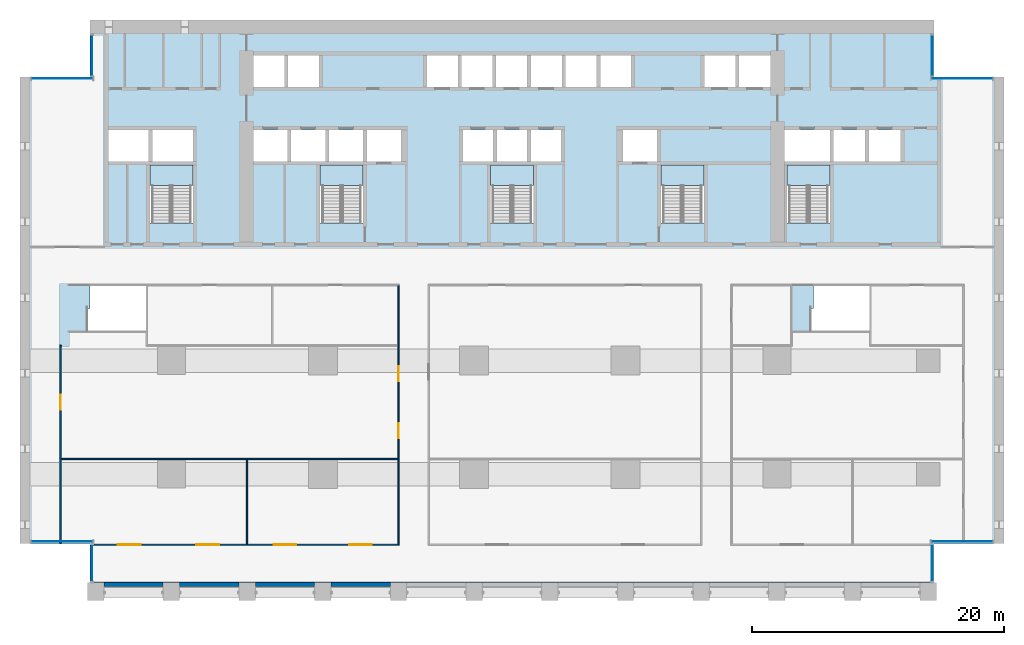
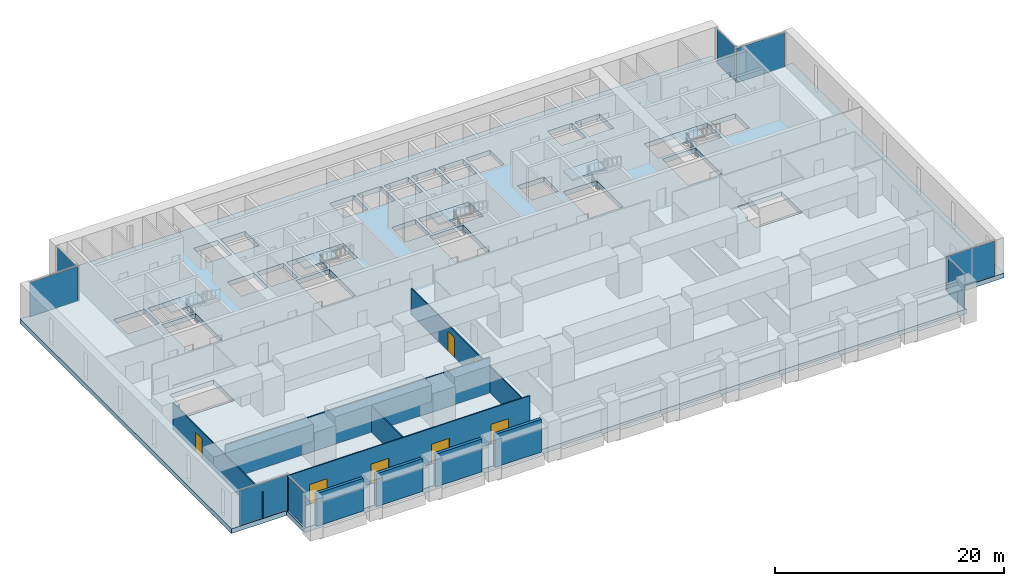
# One storey, part 6 of 17: 9 walls, 8 plates, 7 doors, 6 slabs, 7 openings, 13 elements without a shape of their own.
"""IFC4 building model written with IfcOpenShell, lengths in metres."""

from ifc_helpers import new_model, si_unit, direction, frame, frame_2d, origin, origin_2d, place, context, subcontext, project, spatial, polyline, rectangle, outline, extrude, material, layer, layer_set, type_object, element, fill, aggregate, save


model = new_model("IFC4")

# Units and contexts
model_context = context("Model", 3, precision=1e-05, world=origin(), true_north=direction((0.0, 1.0)))
body_context = subcontext(model_context, "Body", "Model", "MODEL_VIEW")
ifc_project = project(units=[si_unit("LENGTHUNIT", "METRE"), si_unit("AREAUNIT", "SQUARE_METRE"), si_unit("VOLUMEUNIT", "CUBIC_METRE"), si_unit("PLANEANGLEUNIT", "RADIAN"), si_unit("MASSUNIT", "GRAM", prefix="KILO")], contexts=[model_context])

# Site, building, storey
site_placement = place(None, origin())
site = spatial("IfcSite", under=ifc_project, at=site_placement, CompositionType="ELEMENT")
building_placement = place(site_placement, origin())
building = spatial("IfcBuilding", under=site, at=building_placement, Name="Calvaro Tower", CompositionType="ELEMENT")
storey_placement = place(building_placement, frame((0.0, 0.0, 17.89990234375)))
storey = spatial("IfcBuildingStorey", under=building, at=storey_placement, Name="L03", CompositionType="ELEMENT", Elevation=17.89990234375)

# Slab
ifc_material_1 = material(Name="Concrete C40/50", Category="concrete")
ifc_layer_1 = layer(ifc_material_1, 0.5)
ifc_layer_set_1 = layer_set([ifc_layer_1], Name="Concrete C40/50")
slab_type_1 = type_object("IfcSlabType", Name="Floor slab 500 C40/50", PredefinedType="FLOOR", material=ifc_layer_set_1)
slab_1_placement = place(storey_placement, frame((0.0, 0.0, -0.5)))
element("IfcSlab", 1, at=slab_1_placement, inside=storey, type_object=slab_type_1, Name="Floor slab", PredefinedType="FLOOR", context=body_context, shape_type="SweptSolid", body=[
    extrude(outline(polyline([(72.449951171875, 4.5), (72.449951171875, 1.39990234375), (5.550048828125, 1.39990234375), (5.550048828125, 4.5), (0.0, 4.5), (0.0, 41.5), (5.550048828125, 41.5), (5.550048828125, 46.0), (72.449951171875, 46.0), (72.449951171875, 41.5), (78.0, 41.5), (78.0, 4.5), (72.449951171875, 4.5)]), holes=[polyline([(10.300048828125, 29.909912109375), (10.300048828125, 34.5), (12.0, 34.5), (13.699951171875, 34.5), (13.699951171875, 29.909912109375), (12.0, 29.909912109375), (10.300048828125, 29.909912109375)]), polyline([(23.800048828125, 29.909912109375), (23.800048828125, 34.5), (25.5, 34.5), (27.199951171875, 34.5), (27.199951171875, 29.909912109375), (25.5, 29.909912109375), (23.800048828125, 29.909912109375)]), polyline([(37.300048828125, 29.909912109375), (37.300048828125, 34.5), (39.0, 34.5), (40.699951171875, 34.5), (40.699951171875, 29.909912109375), (39.0, 29.909912109375), (37.300048828125, 29.909912109375)]), polyline([(50.800048828125, 29.909912109375), (50.800048828125, 34.5), (52.5, 34.5), (54.199951171875, 34.5), (54.199951171875, 29.909912109375), (52.5, 29.909912109375), (50.800048828125, 29.909912109375)]), polyline([(60.800048828125, 29.909912109375), (60.800048828125, 34.5), (62.5, 34.5), (64.199951171875, 34.5), (64.199951171875, 29.909912109375), (62.5, 29.909912109375), (60.800048828125, 29.909912109375)]), polyline([(18.5, 34.800048828125), (21.199951171875, 34.800048828125), (21.199951171875, 37.300048828125), (18.5, 37.300048828125), (18.5, 34.800048828125)]), polyline([(21.5, 34.800048828125), (24.199951171875, 34.800048828125), (24.199951171875, 37.300048828125), (21.5, 37.300048828125), (21.5, 34.800048828125)]), polyline([(24.5, 34.800048828125), (27.199951171875, 34.800048828125), (27.199951171875, 37.300048828125), (24.5, 37.300048828125), (24.5, 34.800048828125)]), polyline([(35.10009765625, 34.800048828125), (37.5, 34.800048828125), (37.5, 37.300048828125), (35.10009765625, 37.300048828125), (35.10009765625, 34.800048828125)]), polyline([(37.800048828125, 34.800048828125), (40.199951171875, 34.800048828125), (40.199951171875, 37.300048828125), (37.800048828125, 37.300048828125), (37.800048828125, 34.800048828125)]), polyline([(40.5, 34.800048828125), (42.89990234375, 34.800048828125), (42.89990234375, 37.300048828125), (40.5, 37.300048828125), (40.5, 34.800048828125)]), polyline([(18.5, 40.699951171875), (20.949951171875, 40.699951171875), (20.949951171875, 43.199951171875), (18.5, 43.199951171875), (18.5, 40.699951171875)]), polyline([(21.25, 40.699951171875), (23.699951171875, 40.699951171875), (23.699951171875, 43.199951171875), (21.25, 43.199951171875), (21.25, 40.699951171875)]), polyline([(32.25, 40.699951171875), (34.699951171875, 40.699951171875), (34.699951171875, 43.199951171875), (32.25, 43.199951171875), (32.25, 40.699951171875)]), polyline([(35.0, 40.699951171875), (37.449951171875, 40.699951171875), (37.449951171875, 43.199951171875), (35.0, 43.199951171875), (35.0, 40.699951171875)]), polyline([(37.75, 40.699951171875), (40.199951171875, 40.699951171875), (40.199951171875, 43.199951171875), (37.75, 43.199951171875), (37.75, 40.699951171875)]), polyline([(40.5, 40.699951171875), (42.949951171875, 40.699951171875), (42.949951171875, 43.199951171875), (40.5, 43.199951171875), (40.5, 40.699951171875)]), polyline([(43.25, 40.699951171875), (45.699951171875, 40.699951171875), (45.699951171875, 43.199951171875), (43.25, 43.199951171875), (43.25, 40.699951171875)]), polyline([(46.0, 40.699951171875), (48.449951171875, 40.699951171875), (48.449951171875, 43.199951171875), (46.0, 43.199951171875), (46.0, 40.699951171875)]), polyline([(54.25, 40.699951171875), (56.699951171875, 40.699951171875), (56.699951171875, 43.199951171875), (54.25, 43.199951171875), (54.25, 40.699951171875)]), polyline([(57.0, 40.699951171875), (59.5, 40.699951171875), (59.5, 43.199951171875), (57.0, 43.199951171875), (57.0, 40.699951171875)]), polyline([(7.0, 34.800048828125), (10.199951171875, 34.800048828125), (10.199951171875, 37.300048828125), (7.0, 37.300048828125), (7.0, 34.800048828125)]), polyline([(10.5, 34.800048828125), (13.699951171875, 34.800048828125), (13.699951171875, 37.300048828125), (10.5, 37.300048828125), (10.5, 34.800048828125)]), polyline([(60.60009765625, 34.800048828125), (64.199951171875, 34.800048828125), (64.199951171875, 37.300048828125), (60.60009765625, 37.300048828125), (60.60009765625, 34.800048828125)]), polyline([(64.5, 34.800048828125), (67.0, 34.800048828125), (67.0, 37.300048828125), (64.5, 37.300048828125), (64.5, 34.800048828125)]), polyline([(67.300048828125, 34.800048828125), (69.800048828125, 34.800048828125), (69.800048828125, 37.300048828125), (67.300048828125, 37.300048828125), (67.300048828125, 34.800048828125)]), polyline([(27.5, 34.800048828125), (30.199951171875, 34.800048828125), (30.199951171875, 37.300048828125), (27.5, 37.300048828125), (27.5, 34.800048828125)]), polyline([(47.800048828125, 34.800048828125), (50.5, 34.800048828125), (50.5, 37.300048828125), (47.800048828125, 37.300048828125), (47.800048828125, 34.800048828125)]), polyline([(5.31005859375, 23.14990234375), (5.31005859375, 21.35009765625), (10.0, 21.35009765625), (10.0, 23.14990234375), (10.0, 24.949951171875), (5.56005859375, 24.949951171875), (5.56005859375, 23.14990234375), (5.31005859375, 23.14990234375)]), polyline([(62.659912109375, 23.14990234375), (62.659912109375, 21.35009765625), (67.35009765625, 21.35009765625), (67.35009765625, 23.14990234375), (67.35009765625, 24.949951171875), (62.909912109375, 24.949951171875), (62.909912109375, 23.14990234375), (62.659912109375, 23.14990234375)])]), origin(), (0.0, 0.0, 1.0), 0.5),
])

# Curtain wall, plate
ifc_material_2 = material(Name="Anodised aluminium", Category="aluminium")
curtain_wall_type = type_object("IfcCurtainWallType", Name="Foyer curtain wall", PredefinedType="NOTDEFINED", material=ifc_material_2)
curtain_wall_1_placement = place(storey_placement, origin())
curtain_wall_1 = element("IfcCurtainWall", 2, at=curtain_wall_1_placement, inside=storey, type_object=curtain_wall_type, Name="CW6 corner curtain wall", PredefinedType="NOTDEFINED")
ifc_material_3 = material(Name="Glass", Category="glass")
ifc_layer_2 = layer(ifc_material_3, 0.048095703125)
ifc_layer_set_2 = layer_set([ifc_layer_2], Name="Glass")
plate_type = type_object("IfcPlateType", Name="Glass panel PF 48", PredefinedType="CURTAIN_PANEL", material=ifc_layer_set_2)
plate_1_placement = place(storey_placement, frame((5.699951171875, 2.949951171875, 0.0), z_axis=(0.0, 0.0, 1.0), x_axis=(0.0, 1.0, 0.0)))
plate_1 = element("IfcPlate", 3, at=plate_1_placement, type_object=plate_type, Name="CW6 glass panel 1.1", PredefinedType="CURTAIN_PANEL", context=body_context, shape_type="SweptSolid", body=[
    extrude(rectangle(XDim=2.89990234375, YDim=0.048095703125, at=origin_2d()), origin(), (0.0, 0.0, 1.0), 3.659912109375),
])
aggregate(curtain_wall_1, [plate_1])

curtain_wall_2_placement = place(storey_placement, origin())
curtain_wall_2 = element("IfcCurtainWall", 4, at=curtain_wall_2_placement, inside=storey, type_object=curtain_wall_type, Name="CW6 corner curtain wall", PredefinedType="NOTDEFINED")
plate_2_placement = place(storey_placement, frame((3.324951171875, 4.64990234375, 0.0), z_axis=(0.0, 0.0, 1.0), x_axis=(1.0, 0.0, 0.0)))
plate_2 = element("IfcPlate", 5, at=plate_2_placement, type_object=plate_type, Name="CW6 glass panel 1.1", PredefinedType="CURTAIN_PANEL", context=body_context, shape_type="SweptSolid", body=[
    extrude(rectangle(XDim=4.85009765625, YDim=0.048095703125, at=origin_2d()), origin(), (0.0, 0.0, 1.0), 3.659912109375),
])
aggregate(curtain_wall_2, [plate_2])

curtain_wall_3_placement = place(storey_placement, origin())
curtain_wall_3 = element("IfcCurtainWall", 6, at=curtain_wall_3_placement, inside=storey, type_object=curtain_wall_type, Name="CW6 corner curtain wall", PredefinedType="NOTDEFINED")
plate_3_placement = place(storey_placement, frame((5.699951171875, 43.199951171875, 0.0), z_axis=(0.0, 0.0, 1.0), x_axis=(0.0, 1.0, 0.0)))
plate_3 = element("IfcPlate", 7, at=plate_3_placement, type_object=plate_type, Name="CW6 glass panel 1.1", PredefinedType="CURTAIN_PANEL", context=body_context, shape_type="SweptSolid", body=[
    extrude(rectangle(XDim=3.199951171875, YDim=0.048095703125, at=origin_2d()), origin(), (0.0, 0.0, 1.0), 3.659912109375),
])
aggregate(curtain_wall_3, [plate_3])

curtain_wall_4_placement = place(storey_placement, origin())
curtain_wall_4 = element("IfcCurtainWall", 8, at=curtain_wall_4_placement, inside=storey, type_object=curtain_wall_type, Name="CW6 corner curtain wall", PredefinedType="NOTDEFINED")
plate_4_placement = place(storey_placement, frame((3.324951171875, 41.35009765625, 0.0), z_axis=(0.0, 0.0, 1.0), x_axis=(1.0, 0.0, 0.0)))
plate_4 = element("IfcPlate", 9, at=plate_4_placement, type_object=plate_type, Name="CW6 glass panel 1.1", PredefinedType="CURTAIN_PANEL", context=body_context, shape_type="SweptSolid", body=[
    extrude(rectangle(XDim=4.85009765625, YDim=0.048095703125, at=origin_2d()), origin(), (0.0, 0.0, 1.0), 3.659912109375),
])
aggregate(curtain_wall_4, [plate_4])

curtain_wall_5_placement = place(storey_placement, origin())
curtain_wall_5 = element("IfcCurtainWall", 10, at=curtain_wall_5_placement, inside=storey, type_object=curtain_wall_type, Name="CW6 corner curtain wall", PredefinedType="NOTDEFINED")
plate_5_placement = place(storey_placement, frame((72.300048828125, 2.949951171875, 0.0), z_axis=(0.0, 0.0, 1.0), x_axis=(0.0, 1.0, 0.0)))
plate_5 = element("IfcPlate", 11, at=plate_5_placement, type_object=plate_type, Name="CW6 glass panel 1.1", PredefinedType="CURTAIN_PANEL", context=body_context, shape_type="SweptSolid", body=[
    extrude(rectangle(XDim=2.89990234375, YDim=0.048095703125, at=origin_2d()), origin(), (0.0, 0.0, 1.0), 3.659912109375),
])
aggregate(curtain_wall_5, [plate_5])

curtain_wall_6_placement = place(storey_placement, origin())
curtain_wall_6 = element("IfcCurtainWall", 12, at=curtain_wall_6_placement, inside=storey, type_object=curtain_wall_type, Name="CW6 corner curtain wall", PredefinedType="NOTDEFINED")
plate_6_placement = place(storey_placement, frame((74.675048828125, 4.64990234375, 0.0), z_axis=(0.0, 0.0, 1.0), x_axis=(1.0, 0.0, 0.0)))
plate_6 = element("IfcPlate", 13, at=plate_6_placement, type_object=plate_type, Name="CW6 glass panel 1.1", PredefinedType="CURTAIN_PANEL", context=body_context, shape_type="SweptSolid", body=[
    extrude(rectangle(XDim=4.85009765625, YDim=0.048095703125, at=origin_2d()), origin(), (0.0, 0.0, 1.0), 3.659912109375),
])
aggregate(curtain_wall_6, [plate_6])

curtain_wall_7_placement = place(storey_placement, origin())
curtain_wall_7 = element("IfcCurtainWall", 14, at=curtain_wall_7_placement, inside=storey, type_object=curtain_wall_type, Name="CW6 corner curtain wall", PredefinedType="NOTDEFINED")
plate_7_placement = place(storey_placement, frame((72.300048828125, 43.199951171875, 0.0), z_axis=(0.0, 0.0, 1.0), x_axis=(0.0, 1.0, 0.0)))
plate_7 = element("IfcPlate", 15, at=plate_7_placement, type_object=plate_type, Name="CW6 glass panel 1.1", PredefinedType="CURTAIN_PANEL", context=body_context, shape_type="SweptSolid", body=[
    extrude(rectangle(XDim=3.199951171875, YDim=0.048095703125, at=origin_2d()), origin(), (0.0, 0.0, 1.0), 3.659912109375),
])
aggregate(curtain_wall_7, [plate_7])

curtain_wall_8_placement = place(storey_placement, origin())
curtain_wall_8 = element("IfcCurtainWall", 16, at=curtain_wall_8_placement, inside=storey, type_object=curtain_wall_type, Name="CW6 corner curtain wall", PredefinedType="NOTDEFINED")
plate_8_placement = place(storey_placement, frame((74.675048828125, 41.35009765625, 0.0), z_axis=(0.0, 0.0, 1.0), x_axis=(1.0, 0.0, 0.0)))
plate_8 = element("IfcPlate", 17, at=plate_8_placement, type_object=plate_type, Name="CW6 glass panel 1.1", PredefinedType="CURTAIN_PANEL", context=body_context, shape_type="SweptSolid", body=[
    extrude(rectangle(XDim=4.85009765625, YDim=0.048095703125, at=origin_2d()), origin(), (0.0, 0.0, 1.0), 3.659912109375),
])
aggregate(curtain_wall_8, [plate_8])

# Stair, slab
ifc_material_4 = material(Name="Concrete C40/50", Category="concrete")
stair_type = type_object("IfcStairType", Name="Exit stair 1400 2 flights", PredefinedType="HALF_TURN_STAIR", material=ifc_material_4)
stair_1_placement = place(storey_placement, origin())
stair_1 = element("IfcStair", 18, at=stair_1_placement, inside=storey, type_object=stair_type, Name="Exit stair S1", PredefinedType="HALF_TURN_STAIR")
ifc_material_5 = material(Name="Concrete C40/50", Category="concrete")
ifc_layer_3 = layer(ifc_material_5, 0.199951171875)
ifc_layer_set_3 = layer_set([ifc_layer_3], Name="Concrete C40/50")
slab_type_2 = type_object("IfcSlabType", Name="Stair landing", PredefinedType="LANDING", material=ifc_layer_set_3)
slab_2_placement = place(storey_placement, frame((0.0, 0.0, 2.10009765625)))
slab_2 = element("IfcSlab", 19, at=slab_2_placement, type_object=slab_type_2, Name="Exit stair 1, landing 1", PredefinedType="LANDING", context=body_context, shape_type="SweptSolid", body=[
    extrude(outline(polyline([(11.89990234375, 32.889892578125), (10.5, 32.889892578125), (10.5, 32.89990234375), (10.300048828125, 32.89990234375), (10.300048828125, 34.5), (10.5, 34.5), (11.89990234375, 34.5), (12.10009765625, 34.5), (13.5, 34.5), (13.699951171875, 34.5), (13.699951171875, 32.89990234375), (13.5, 32.89990234375), (13.5, 32.889892578125), (12.10009765625, 32.889892578125), (12.10009765625, 32.89990234375), (11.89990234375, 32.89990234375), (11.89990234375, 32.889892578125)])), origin(), (0.0, 0.0, 1.0), 0.199951171875),
])
aggregate(stair_1, [slab_2])

stair_2_placement = place(storey_placement, origin())
stair_2 = element("IfcStair", 20, at=stair_2_placement, inside=storey, type_object=stair_type, Name="Exit stair S2", PredefinedType="HALF_TURN_STAIR")
slab_3_placement = place(storey_placement, frame((0.0, 0.0, 2.10009765625)))
slab_3 = element("IfcSlab", 21, at=slab_3_placement, type_object=slab_type_2, Name="Exit stair 2, landing 1", PredefinedType="LANDING", context=body_context, shape_type="SweptSolid", body=[
    extrude(outline(polyline([(25.39990234375, 32.889892578125), (24.0, 32.889892578125), (24.0, 32.89990234375), (23.800048828125, 32.89990234375), (23.800048828125, 34.5), (24.0, 34.5), (25.39990234375, 34.5), (25.60009765625, 34.5), (27.0, 34.5), (27.199951171875, 34.5), (27.199951171875, 32.89990234375), (27.0, 32.89990234375), (27.0, 32.889892578125), (25.60009765625, 32.889892578125), (25.60009765625, 32.89990234375), (25.39990234375, 32.89990234375), (25.39990234375, 32.889892578125)])), origin(), (0.0, 0.0, 1.0), 0.199951171875),
])
aggregate(stair_2, [slab_3])

stair_3_placement = place(storey_placement, origin())
stair_3 = element("IfcStair", 22, at=stair_3_placement, inside=storey, type_object=stair_type, Name="Exit stair S3", PredefinedType="HALF_TURN_STAIR")
slab_4_placement = place(storey_placement, frame((0.0, 0.0, 2.10009765625)))
slab_4 = element("IfcSlab", 23, at=slab_4_placement, type_object=slab_type_2, Name="Exit stair 3, landing 1", PredefinedType="LANDING", context=body_context, shape_type="SweptSolid", body=[
    extrude(outline(polyline([(38.89990234375, 32.889892578125), (37.5, 32.889892578125), (37.5, 32.89990234375), (37.300048828125, 32.89990234375), (37.300048828125, 34.5), (37.5, 34.5), (38.89990234375, 34.5), (39.10009765625, 34.5), (40.5, 34.5), (40.699951171875, 34.5), (40.699951171875, 32.89990234375), (40.5, 32.89990234375), (40.5, 32.889892578125), (39.10009765625, 32.889892578125), (39.10009765625, 32.89990234375), (38.89990234375, 32.89990234375), (38.89990234375, 32.889892578125)])), origin(), (0.0, 0.0, 1.0), 0.199951171875),
])
aggregate(stair_3, [slab_4])

stair_4_placement = place(storey_placement, origin())
stair_4 = element("IfcStair", 24, at=stair_4_placement, inside=storey, type_object=stair_type, Name="Exit stair S4", PredefinedType="HALF_TURN_STAIR")
slab_5_placement = place(storey_placement, frame((0.0, 0.0, 2.10009765625)))
slab_5 = element("IfcSlab", 25, at=slab_5_placement, type_object=slab_type_2, Name="Exit stair 4, landing 1", PredefinedType="LANDING", context=body_context, shape_type="SweptSolid", body=[
    extrude(outline(polyline([(52.39990234375, 32.889892578125), (51.0, 32.889892578125), (51.0, 32.89990234375), (50.800048828125, 32.89990234375), (50.800048828125, 34.5), (51.0, 34.5), (52.39990234375, 34.5), (52.60009765625, 34.5), (54.0, 34.5), (54.199951171875, 34.5), (54.199951171875, 32.89990234375), (54.0, 32.89990234375), (54.0, 32.889892578125), (52.60009765625, 32.889892578125), (52.60009765625, 32.89990234375), (52.39990234375, 32.89990234375), (52.39990234375, 32.889892578125)])), origin(), (0.0, 0.0, 1.0), 0.199951171875),
])
aggregate(stair_4, [slab_5])

stair_5_placement = place(storey_placement, origin())
stair_5 = element("IfcStair", 26, at=stair_5_placement, inside=storey, type_object=stair_type, Name="Exit stair S5", PredefinedType="HALF_TURN_STAIR")
slab_6_placement = place(storey_placement, frame((0.0, 0.0, 2.10009765625)))
slab_6 = element("IfcSlab", 27, at=slab_6_placement, type_object=slab_type_2, Name="Exit stair 5, landing 1", PredefinedType="LANDING", context=body_context, shape_type="SweptSolid", body=[
    extrude(outline(polyline([(62.39990234375, 32.889892578125), (61.0, 32.889892578125), (61.0, 32.89990234375), (60.800048828125, 32.89990234375), (60.800048828125, 34.5), (61.0, 34.5), (62.39990234375, 34.5), (62.60009765625, 34.5), (64.0, 34.5), (64.199951171875, 34.5), (64.199951171875, 32.89990234375), (64.0, 32.89990234375), (64.0, 32.889892578125), (62.60009765625, 32.889892578125), (62.60009765625, 32.89990234375), (62.39990234375, 32.89990234375), (62.39990234375, 32.889892578125)])), origin(), (0.0, 0.0, 1.0), 0.199951171875),
])
aggregate(stair_5, [slab_6])

# Wall, openings, doors
ifc_material_6 = material(Name="Plasterboard on steel studs", Category="steel")
ifc_layer_4 = layer(ifc_material_6, 0.10009765625)
ifc_layer_set_4 = layer_set([ifc_layer_4], Name="Plasterboard on steel studs")
wall_type_1 = type_object("IfcWallType", Name="Partition 100", PredefinedType="PARTITIONING", material=ifc_layer_set_4)
wall_1_placement = place(storey_placement, frame((5.550048828125, 4.39990234375, 0.0), z_axis=(0.0, 0.0, 1.0), x_axis=(1.0, 0.0, 0.0)))
wall_1 = element("IfcWall", 28, at=wall_1_placement, inside=storey, type_object=wall_type_1, Name="Partition T06.W001", PredefinedType="PARTITIONING", context=body_context, shape_type="SweptSolid", body=[
    extrude(rectangle(XDim=24.5, YDim=0.10009765625, at=frame_2d((12.25, 0.0))), origin(), (0.0, 0.0, 1.0), 3.800048828125),
])
opening_1_placement = place(wall_1_placement, frame((2.21240234375, 0.0, 0.0)))
opening_1 = element("IfcOpeningElement", 29, at=opening_1_placement, cuts=wall_1, Name="Opening T06.001", PredefinedType="OPENING", context=body_context, shape_type="SweptSolid", body=[
    extrude(rectangle(XDim=1.800048828125, YDim=2.10009765625, at=frame_2d((0.89990234375, 1.050048828125))), frame((0.0, 0.06005859375, 0.0), z_axis=(0.0, -1.0, 0.0), x_axis=(1.0, 0.0, 0.0)), (0.0, 0.0, 1.0), 0.1201171875),
])
opening_2_placement = place(wall_1_placement, frame((8.4375, 0.0, 0.0)))
opening_2 = element("IfcOpeningElement", 30, at=opening_2_placement, cuts=wall_1, Name="Opening T06.002", PredefinedType="OPENING", context=body_context, shape_type="SweptSolid", body=[
    extrude(rectangle(XDim=1.800048828125, YDim=2.10009765625, at=frame_2d((0.89990234375, 1.050048828125))), frame((0.0, 0.06005859375, 0.0), z_axis=(0.0, -1.0, 0.0), x_axis=(1.0, 0.0, 0.0)), (0.0, 0.0, 1.0), 0.1201171875),
])
opening_3_placement = place(wall_1_placement, frame((14.550048828125, 0.0, 0.0)))
opening_3 = element("IfcOpeningElement", 31, at=opening_3_placement, cuts=wall_1, Name="Opening T06.003", PredefinedType="OPENING", context=body_context, shape_type="SweptSolid", body=[
    extrude(rectangle(XDim=1.800048828125, YDim=2.10009765625, at=frame_2d((0.89990234375, 1.050048828125))), frame((0.0, 0.06005859375, 0.0), z_axis=(0.0, -1.0, 0.0), x_axis=(1.0, 0.0, 0.0)), (0.0, 0.0, 1.0), 0.1201171875),
])
opening_4_placement = place(wall_1_placement, frame((20.550048828125, 0.0, 0.0)))
opening_4 = element("IfcOpeningElement", 32, at=opening_4_placement, cuts=wall_1, Name="Opening T06.004", PredefinedType="OPENING", context=body_context, shape_type="SweptSolid", body=[
    extrude(rectangle(XDim=1.800048828125, YDim=2.10009765625, at=frame_2d((0.89990234375, 1.050048828125))), frame((0.0, 0.06005859375, 0.0), z_axis=(0.0, -1.0, 0.0), x_axis=(1.0, 0.0, 0.0)), (0.0, 0.0, 1.0), 0.1201171875),
])
ifc_material_7 = material(Name="Timber", Category="wood")
door_type_1 = type_object("IfcDoorType", Name="Internal double door 1800 x 2100", OperationType="DOUBLE_DOOR_SINGLE_SWING", PredefinedType="DOOR", material=ifc_material_7)
door_1_placement = place(opening_1_placement, origin())
door_1 = element("IfcDoor", 33, at=door_1_placement, inside=storey, type_object=door_type_1, Name="Door T06.001", OperationType="DOUBLE_DOOR_SINGLE_SWING", OverallHeight=2.10009765625, OverallWidth=1.800048828125, PredefinedType="DOOR", context=body_context, shape_type="SweptSolid", body=[
    extrude(rectangle(XDim=1.800048828125, YDim=2.10009765625, at=frame_2d((0.89990234375, 1.050048828125))), frame((0.0, 0.02490234375, 0.0), z_axis=(0.0, -1.0, 0.0), x_axis=(1.0, 0.0, 0.0)), (0.0, 0.0, 1.0), 0.050048828125),
])
fill(opening_1, door_1)
door_2_placement = place(opening_2_placement, origin())
door_2 = element("IfcDoor", 34, at=door_2_placement, inside=storey, type_object=door_type_1, Name="Door T06.002", OperationType="DOUBLE_DOOR_SINGLE_SWING", OverallHeight=2.10009765625, OverallWidth=1.800048828125, PredefinedType="DOOR", context=body_context, shape_type="SweptSolid", body=[
    extrude(rectangle(XDim=1.800048828125, YDim=2.10009765625, at=frame_2d((0.89990234375, 1.050048828125))), frame((0.0, 0.02490234375, 0.0), z_axis=(0.0, -1.0, 0.0), x_axis=(1.0, 0.0, 0.0)), (0.0, 0.0, 1.0), 0.050048828125),
])
fill(opening_2, door_2)
door_3_placement = place(opening_3_placement, origin())
door_3 = element("IfcDoor", 35, at=door_3_placement, inside=storey, type_object=door_type_1, Name="Door T06.003", OperationType="DOUBLE_DOOR_SINGLE_SWING", OverallHeight=2.10009765625, OverallWidth=1.800048828125, PredefinedType="DOOR", context=body_context, shape_type="SweptSolid", body=[
    extrude(rectangle(XDim=1.800048828125, YDim=2.10009765625, at=frame_2d((0.89990234375, 1.050048828125))), frame((0.0, 0.02490234375, 0.0), z_axis=(0.0, -1.0, 0.0), x_axis=(1.0, 0.0, 0.0)), (0.0, 0.0, 1.0), 0.050048828125),
])
fill(opening_3, door_3)
door_4_placement = place(opening_4_placement, origin())
door_4 = element("IfcDoor", 36, at=door_4_placement, inside=storey, type_object=door_type_1, Name="Door T06.004", OperationType="DOUBLE_DOOR_SINGLE_SWING", OverallHeight=2.10009765625, OverallWidth=1.800048828125, PredefinedType="DOOR", context=body_context, shape_type="SweptSolid", body=[
    extrude(rectangle(XDim=1.800048828125, YDim=2.10009765625, at=frame_2d((0.89990234375, 1.050048828125))), frame((0.0, 0.02490234375, 0.0), z_axis=(0.0, -1.0, 0.0), x_axis=(1.0, 0.0, 0.0)), (0.0, 0.0, 1.0), 0.050048828125),
])
fill(opening_4, door_4)

# Wall
wall_2_placement = place(storey_placement, frame((3.25, 11.199951171875, 0.0), z_axis=(0.0, 0.0, 1.0), x_axis=(1.0, 0.0, 0.0)))
element("IfcWall", 37, at=wall_2_placement, inside=storey, type_object=wall_type_1, Name="Partition T06.W004", PredefinedType="PARTITIONING", context=body_context, shape_type="SweptSolid", body=[
    extrude(rectangle(XDim=26.699951171875, YDim=0.10009765625, at=frame_2d((13.35009765625, 0.0))), origin(), (0.0, 0.0, 1.0), 3.800048828125),
])

# Wall, opening, door
wall_3_placement = place(storey_placement, frame((3.199951171875, 4.5, 0.0), z_axis=(0.0, 0.0, 1.0), x_axis=(0.0, 1.0, 0.0)))
wall_3 = element("IfcWall", 38, at=wall_3_placement, inside=storey, type_object=wall_type_1, Name="Partition T06.W020", PredefinedType="PARTITIONING", context=body_context, shape_type="SweptSolid", body=[
    extrude(rectangle(XDim=15.699951171875, YDim=0.10009765625, at=frame_2d((7.85009765625, 0.0))), origin(), (0.0, 0.0, 1.0), 2.800048828125),
])
opening_5_placement = place(wall_3_placement, frame((10.60009765625, 0.0, 0.0)))
opening_5 = element("IfcOpeningElement", 39, at=opening_5_placement, cuts=wall_3, Name="Opening T06.010", PredefinedType="OPENING", context=body_context, shape_type="SweptSolid", body=[
    extrude(rectangle(XDim=1.199951171875, YDim=2.10009765625, at=frame_2d((0.60009765625, 1.050048828125))), frame((0.0, 0.06005859375, 0.0), z_axis=(0.0, -1.0, 0.0), x_axis=(1.0, 0.0, 0.0)), (0.0, 0.0, 1.0), 0.1201171875),
])
ifc_material_8 = material(Name="Timber", Category="wood")
door_type_2 = type_object("IfcDoorType", Name="Internal single door 1200 x 2100", OperationType="SINGLE_SWING_LEFT", PredefinedType="DOOR", material=ifc_material_8)
door_5_placement = place(opening_5_placement, origin())
door_5 = element("IfcDoor", 40, at=door_5_placement, inside=storey, type_object=door_type_2, Name="Door T06.010", OperationType="SINGLE_SWING_RIGHT", OverallHeight=2.10009765625, OverallWidth=1.199951171875, PredefinedType="DOOR", context=body_context, shape_type="SweptSolid", body=[
    extrude(rectangle(XDim=1.199951171875, YDim=2.10009765625, at=frame_2d((0.60009765625, 1.050048828125))), frame((0.0, 0.02490234375, 0.0), z_axis=(0.0, -1.0, 0.0), x_axis=(1.0, 0.0, 0.0)), (0.0, 0.0, 1.0), 0.050048828125),
])
fill(opening_5, door_5)

# Wall
wall_4_placement = place(storey_placement, frame((18.0, 4.449951171875, 0.0), z_axis=(0.0, 0.0, 1.0), x_axis=(0.0, 1.0, 0.0)))
element("IfcWall", 41, at=wall_4_placement, inside=storey, type_object=wall_type_1, Name="Partition T06.W023", PredefinedType="PARTITIONING", context=body_context, shape_type="SweptSolid", body=[
    extrude(rectangle(XDim=6.699951171875, YDim=0.10009765625, at=frame_2d((3.35009765625, 0.0))), origin(), (0.0, 0.0, 1.0), 2.800048828125),
])

# Wall, openings, doors
wall_5_placement = place(storey_placement, frame((30.0, 4.449951171875, 0.0), z_axis=(0.0, 0.0, 1.0), x_axis=(0.0, 1.0, 0.0)))
wall_5 = element("IfcWall", 42, at=wall_5_placement, inside=storey, type_object=wall_type_1, Name="Partition T06.W025", PredefinedType="PARTITIONING", context=body_context, shape_type="SweptSolid", body=[
    extrude(rectangle(XDim=20.5, YDim=0.10009765625, at=frame_2d((10.25, 0.0))), origin(), (0.0, 0.0, 1.0), 2.800048828125),
])
opening_6_placement = place(wall_5_placement, frame((8.39990234375, 0.0, 0.0)))
opening_6 = element("IfcOpeningElement", 43, at=opening_6_placement, cuts=wall_5, Name="Opening T06.009", PredefinedType="OPENING", context=body_context, shape_type="SweptSolid", body=[
    extrude(rectangle(XDim=1.199951171875, YDim=2.10009765625, at=frame_2d((0.60009765625, 1.050048828125))), frame((0.0, 0.06005859375, 0.0), z_axis=(0.0, -1.0, 0.0), x_axis=(1.0, 0.0, 0.0)), (0.0, 0.0, 1.0), 0.1201171875),
])
opening_7_placement = place(wall_5_placement, frame((12.89990234375, 0.0, 0.0)))
opening_7 = element("IfcOpeningElement", 44, at=opening_7_placement, cuts=wall_5, Name="Opening T06.011", PredefinedType="OPENING", context=body_context, shape_type="SweptSolid", body=[
    extrude(rectangle(XDim=1.199951171875, YDim=2.10009765625, at=frame_2d((0.60009765625, 1.050048828125))), frame((0.0, 0.06005859375, 0.0), z_axis=(0.0, -1.0, 0.0), x_axis=(1.0, 0.0, 0.0)), (0.0, 0.0, 1.0), 0.1201171875),
])
door_6_placement = place(opening_6_placement, origin())
door_6 = element("IfcDoor", 45, at=door_6_placement, inside=storey, type_object=door_type_2, Name="Door T06.009", OperationType="SINGLE_SWING_LEFT", OverallHeight=2.10009765625, OverallWidth=1.199951171875, PredefinedType="DOOR", context=body_context, shape_type="SweptSolid", body=[
    extrude(rectangle(XDim=1.199951171875, YDim=2.10009765625, at=frame_2d((0.60009765625, 1.050048828125))), frame((0.0, 0.02490234375, 0.0), z_axis=(0.0, -1.0, 0.0), x_axis=(1.0, 0.0, 0.0)), (0.0, 0.0, 1.0), 0.050048828125),
])
fill(opening_6, door_6)
door_7_placement = place(opening_7_placement, origin())
door_7 = element("IfcDoor", 46, at=door_7_placement, inside=storey, type_object=door_type_2, Name="Door T06.011", OperationType="SINGLE_SWING_RIGHT", OverallHeight=2.10009765625, OverallWidth=1.199951171875, PredefinedType="DOOR", context=body_context, shape_type="SweptSolid", body=[
    extrude(rectangle(XDim=1.199951171875, YDim=2.10009765625, at=frame_2d((0.60009765625, 1.050048828125))), frame((0.0, 0.02490234375, 0.0), z_axis=(0.0, -1.0, 0.0), x_axis=(1.0, 0.0, 0.0)), (0.0, 0.0, 1.0), 0.050048828125),
])
fill(opening_7, door_7)

# Walls
ifc_material_9 = material(Name="Stone faced masonry", Category="masonry")
ifc_layer_5 = layer(ifc_material_9, 0.300048828125)
ifc_layer_set_5 = layer_set([ifc_layer_5], Name="Stone faced masonry")
wall_type_2 = type_object("IfcWallType", Name="Stone faced wall 300", PredefinedType="SOLIDWALL", material=ifc_layer_set_5)
for number, where, z_axis, x_axis, name in (
    (47, (6.64990234375, 1.25, 0.0), (0.0, 0.0, 1.0), (1.0, 0.0, 0.0), "Stone faced wall"),
    (48, (12.64990234375, 1.25, 0.0), (0.0, 0.0, 1.0), (1.0, 0.0, 0.0), "Stone faced wall"),
    (49, (18.64990234375, 1.25, 0.0), (0.0, 0.0, 1.0), (1.0, 0.0, 0.0), "Stone faced wall"),
    (50, (24.64990234375, 1.25, 0.0), (0.0, 0.0, 1.0), (1.0, 0.0, 0.0), "Stone faced wall"),
):
    element("IfcWall", number, at=place(storey_placement, frame(where, z_axis=z_axis, x_axis=x_axis)), inside=storey, type_object=wall_type_2, Name=name, PredefinedType="SOLIDWALL", context=body_context, shape_type="SweptSolid", body=[
        extrude(rectangle(XDim=4.7001953125, YDim=0.300048828125, at=frame_2d((2.35009765625, 0.0))), origin(), (0.0, 0.0, 1.0), 3.5),
    ])

save(model, "model.ifc")
